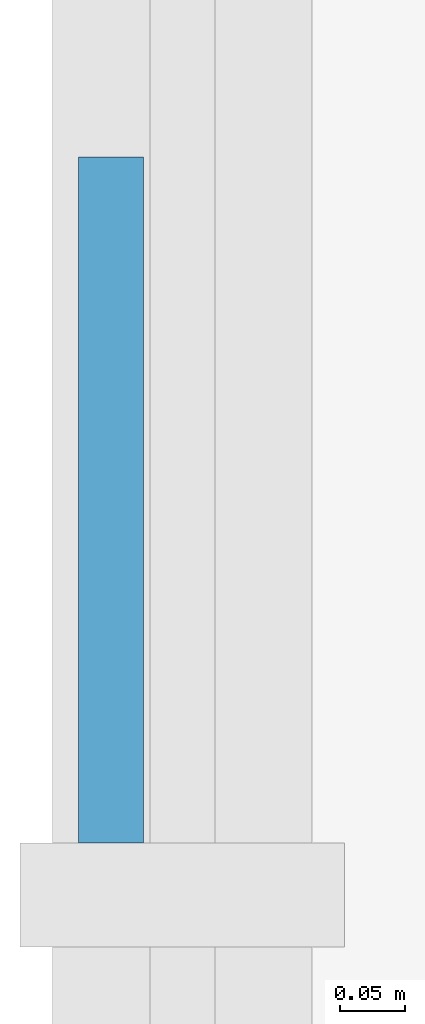
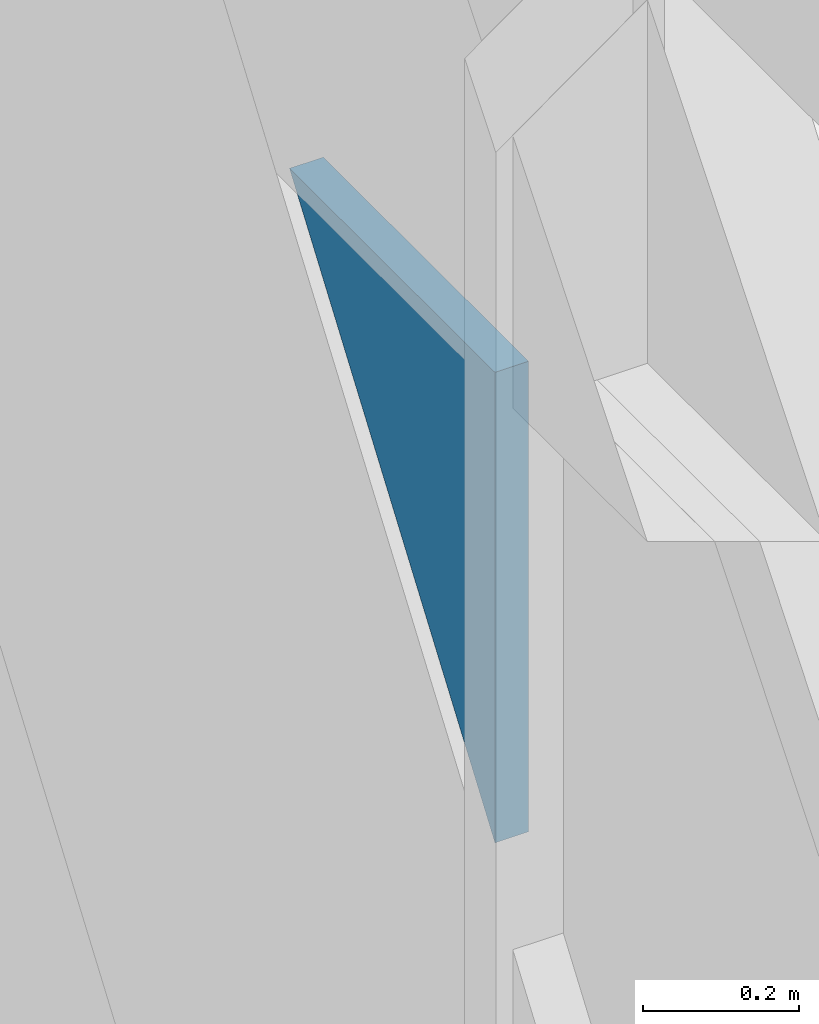
# One storey, part 12 of 17: 1 plate, 1 element without a shape of its own.
"""IFC4 building model written with IfcOpenShell, lengths in metres."""

from ifc_helpers import new_model, si_unit, direction, frame, origin, place, context, subcontext, project, spatial, polyline, outline, extrude, material, layer, layer_set, type_object, element, aggregate, save


model = new_model("IFC4")

# Units and contexts
model_context = context("Model", 3, precision=1e-05, world=origin(), true_north=direction((0.0, 1.0)))
body_context = subcontext(model_context, "Body", "Model", "MODEL_VIEW")
ifc_project = project(units=[si_unit("LENGTHUNIT", "METRE"), si_unit("AREAUNIT", "SQUARE_METRE"), si_unit("VOLUMEUNIT", "CUBIC_METRE"), si_unit("PLANEANGLEUNIT", "RADIAN"), si_unit("MASSUNIT", "GRAM", prefix="KILO")], contexts=[model_context])

# Site, building, storey
site_placement = place(None, origin())
site = spatial("IfcSite", under=ifc_project, at=site_placement, CompositionType="ELEMENT")
building_placement = place(site_placement, origin())
building = spatial("IfcBuilding", under=site, at=building_placement, Name="Rheinbord Bourse Tower", CompositionType="ELEMENT")
storey_placement = place(building_placement, frame((0.0, 0.0, 265.60009765625)))
storey = spatial("IfcBuildingStorey", under=building, at=storey_placement, Name="L60", CompositionType="ELEMENT", Elevation=265.60009765625)

# Curtain wall, plate
ifc_material_1 = material(Name="Dark glass and black aluminium", Category="aluminium")
curtain_wall_type = type_object("IfcCurtainWallType", Name="CW5 DARK GLASS CURTAIN WALL", PredefinedType="USERDEFINED", material=ifc_material_1)
curtain_wall_placement = place(storey_placement, origin())
curtain_wall = element("IfcCurtainWall", 1, at=curtain_wall_placement, inside=storey, type_object=curtain_wall_type, Name="Curtain wall CW5 W L60", ObjectType="UNITISED CURTAIN WALL", PredefinedType="USERDEFINED")
ifc_material_2 = material(Name="Dark tinted triple insulating glass", Category="glass")
ifc_layer = layer(ifc_material_2, 0.050048828125)
ifc_layer_set = layer_set([ifc_layer], Name="CW5 DARK GLASS PANEL")
plate_type = type_object("IfcPlateType", Name="CW5 DARK GLASS PANEL", PredefinedType="CURTAIN_PANEL", material=ifc_layer_set)
plate_placement = place(storey_placement, frame((-0.68017578125, 14.239990234375, 4.349853515625), z_axis=(1.0, 0.0, 0.0), x_axis=(0.0, 0.0, -1.0)))
plate = element("IfcPlate", 2, at=plate_placement, type_object=plate_type, Name="CW5 glass facet 4", PredefinedType="CURTAIN_PANEL", context=body_context, shape_type="SweptSolid", body=[
    extrude(outline(polyline([(0.0, 0.0), (0.738037109375, 0.0), (0.0, 0.528076171875), (0.0, 0.0)])), origin(), (0.0, 0.0, 1.0), 0.050048828125),
])
aggregate(curtain_wall, [plate])

save(model, "model.ifc")
